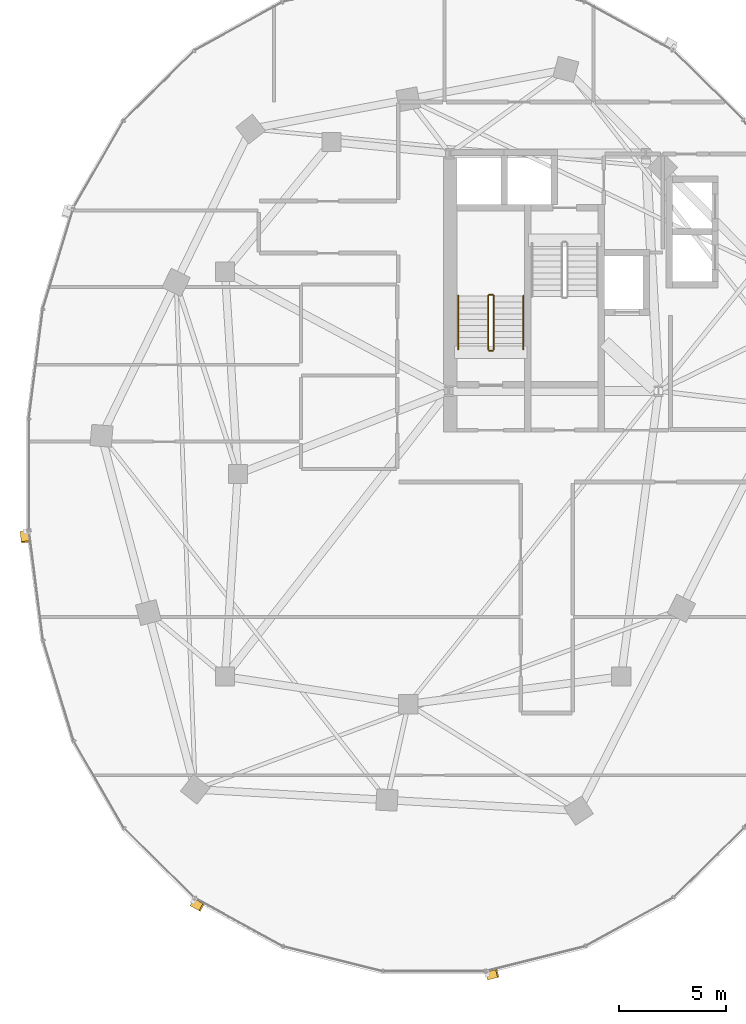
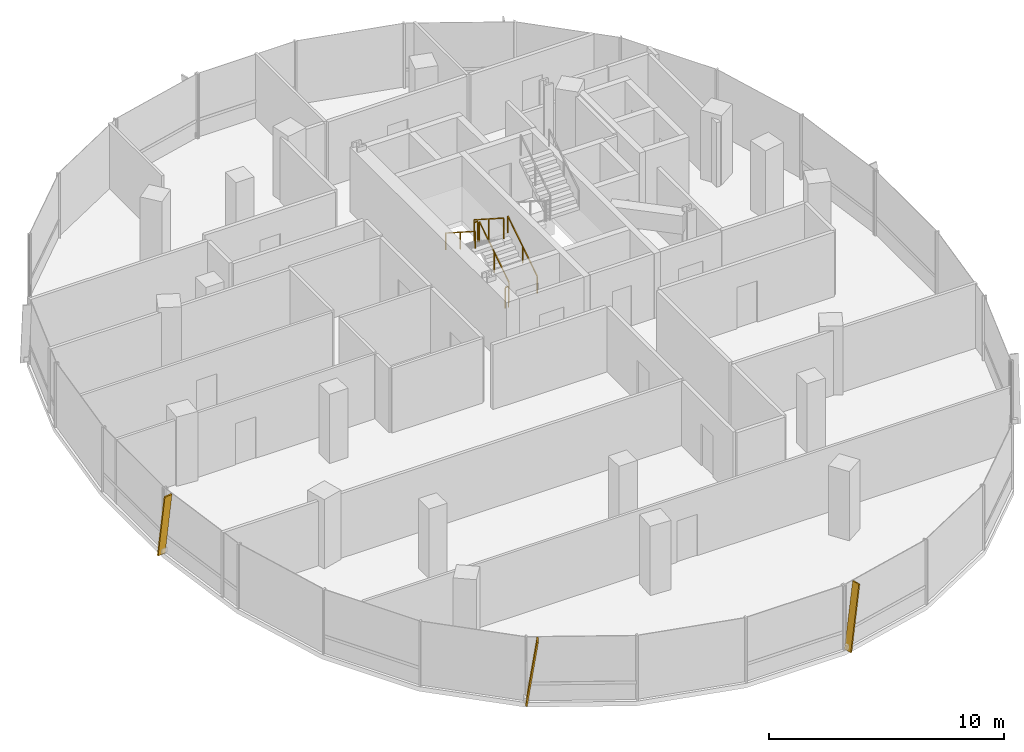
# One storey, part 19 of 23: 6 railings, 3 shading devices.
"""IFC4 building model written with IfcOpenShell, lengths in metres."""

from ifc_helpers import new_model, si_unit, direction, frame, origin, origin_2d, place, context, subcontext, project, spatial, rectangle, extrude, material, material_profile, profile_set, type_object, element, save


model = new_model("IFC4")

# Units and contexts
model_context = context("Model", 3, precision=1e-05, world=origin(), true_north=direction((0.0, 1.0)))
body_context = subcontext(model_context, "Body", "Model", "MODEL_VIEW")
ifc_project = project(units=[si_unit("LENGTHUNIT", "METRE"), si_unit("AREAUNIT", "SQUARE_METRE"), si_unit("VOLUMEUNIT", "CUBIC_METRE"), si_unit("PLANEANGLEUNIT", "RADIAN"), si_unit("MASSUNIT", "GRAM", prefix="KILO"), si_unit("THERMODYNAMICTEMPERATUREUNIT", "KELVIN"), si_unit("POWERUNIT", "WATT")], contexts=[model_context])

# Site, building, storey
site_placement = place(None, origin())
site = spatial("IfcSite", under=ifc_project, at=site_placement, CompositionType="ELEMENT")
building_placement = place(site_placement, origin())
building = spatial("IfcBuilding", under=site, at=building_placement, Name="Cundina Bronze Exchange", CompositionType="ELEMENT")
storey_placement = place(building_placement, frame((0.0, 0.0, 176.39990234375)))
storey = spatial("IfcBuildingStorey", under=building, at=storey_placement, Name="L46", CompositionType="ELEMENT", Elevation=176.39990234375)

# Railings
ifc_material_1 = material(Name="Steel ASTM A36 Painted", Category="steel")
railing_type_1 = type_object("IfcRailingType", Name="RLG-HND-900", PredefinedType="HANDRAIL", material=ifc_material_1)
railing_1_placement = place(storey_placement, frame((-27.7900390625, 5.85009765625, 0.18017578125)))
element("IfcRailing", 1, at=railing_1_placement, inside=storey, type_object=railing_type_1, Name="L46 ST-W1 stair handrail 1", PredefinedType="HANDRAIL", context=body_context, shape_type="SweptSolid", body=[
    extrude(rectangle(XDim=0.048095703125, YDim=0.048095703125, at=origin_2d()), frame((0.0, 0.0, 0.8759765625), z_axis=(0.0, 0.841199657755, 0.540724639528), x_axis=(-1.0, 0.0, 0.0)), (0.0, 0.0, 1.0), 2.995849609375),
    extrude(rectangle(XDim=0.0419921875, YDim=0.0419921875, at=origin_2d()), origin(), (0.0, 0.0, 1.0), 0.851806640625),
    extrude(rectangle(XDim=0.0419921875, YDim=0.0419921875, at=origin_2d()), frame((0.0, 1.260009765625, 0.81005859375)), (0.0, 0.0, 1.0), 0.851806640625),
    extrude(rectangle(XDim=0.0419921875, YDim=0.0419921875, at=origin_2d()), frame((0.0, 2.52001953125, 1.619873046875)), (0.0, 0.0, 1.0), 0.851806640625),
])
railing_2_placement = place(storey_placement, frame((-30.85009765625, 8.3701171875, 1.97998046875)))
element("IfcRailing", 2, at=railing_2_placement, inside=storey, type_object=railing_type_1, Name="L46 ST-W1 stair handrail 2", PredefinedType="HANDRAIL", context=body_context, shape_type="SweptSolid", body=[
    extrude(rectangle(XDim=0.048095703125, YDim=0.048095703125, at=origin_2d()), frame((0.0, 0.0, 0.8759765625), z_axis=(0.0, -0.841162588446, 0.540782303519), x_axis=(1.0, 0.0, 0.0)), (0.0, 0.0, 1.0), 2.995849609375),
    extrude(rectangle(XDim=0.0419921875, YDim=0.0419921875, at=origin_2d()), origin(), (0.0, 0.0, 1.0), 0.851806640625),
    extrude(rectangle(XDim=0.0419921875, YDim=0.0419921875, at=origin_2d()), frame((0.0, -1.260009765625, 0.81005859375)), (0.0, 0.0, 1.0), 0.851806640625),
    extrude(rectangle(XDim=0.0419921875, YDim=0.0419921875, at=origin_2d()), frame((0.0, -2.52001953125, 1.6201171875)), (0.0, 0.0, 1.0), 0.851806640625),
])
railing_type_2 = type_object("IfcRailingType", Name="RLG-STG-1100", PredefinedType="GUARDRAIL", material=ifc_material_1)
railing_3_placement = place(storey_placement, frame((-29.18994140625, 5.85009765625, 0.18017578125)))
element("IfcRailing", 3, at=railing_3_placement, inside=storey, type_object=railing_type_2, Name="L46 ST-W1 stair guard 1", PredefinedType="GUARDRAIL", context=body_context, shape_type="SweptSolid", body=[
    extrude(rectangle(XDim=0.048095703125, YDim=0.048095703125, at=origin_2d()), frame((0.0, 0.0, 1.076171875), z_axis=(0.0, 0.841199657755, 0.540724639528), x_axis=(-1.0, 0.0, 0.0)), (0.0, 0.0, 1.0), 2.995849609375),
    extrude(rectangle(XDim=0.0419921875, YDim=0.0419921875, at=origin_2d()), origin(), (0.0, 0.0, 1.0), 1.052001953125),
    extrude(rectangle(XDim=0.0419921875, YDim=0.0419921875, at=origin_2d()), frame((0.0, 1.260009765625, 0.81005859375)), (0.0, 0.0, 1.0), 1.052001953125),
    extrude(rectangle(XDim=0.0419921875, YDim=0.0419921875, at=origin_2d()), frame((0.0, 2.52001953125, 1.619873046875)), (0.0, 0.0, 1.0), 1.052001953125),
])
railing_4_placement = place(storey_placement, frame((-29.239990234375, 8.419921875, 1.800048828125)))
element("IfcRailing", 4, at=railing_4_placement, inside=storey, type_object=railing_type_2, Name="L46 ST-W1 stair guard 2", PredefinedType="GUARDRAIL", context=body_context, shape_type="SweptSolid", body=[
    extrude(rectangle(XDim=0.048095703125, YDim=0.048095703125, at=origin_2d()), frame((0.0, 0.0, 1.076171875), z_axis=(-1.0, 0.0, 0.0), x_axis=(0.0, -1.0, 0.0)), (0.0, 0.0, 1.0), 0.159912109375),
    extrude(rectangle(XDim=0.0419921875, YDim=0.0419921875, at=origin_2d()), origin(), (0.0, 0.0, 1.0), 1.052001953125),
    extrude(rectangle(XDim=0.0419921875, YDim=0.0419921875, at=origin_2d()), frame((-0.159912109375, 0.0, 0.0)), (0.0, 0.0, 1.0), 1.052001953125),
])
railing_5_placement = place(storey_placement, frame((-29.449951171875, 8.3701171875, 1.97998046875)))
element("IfcRailing", 5, at=railing_5_placement, inside=storey, type_object=railing_type_2, Name="L46 ST-W1 stair guard 3", PredefinedType="GUARDRAIL", context=body_context, shape_type="SweptSolid", body=[
    extrude(rectangle(XDim=0.048095703125, YDim=0.048095703125, at=origin_2d()), frame((0.0, 0.0, 1.076171875), z_axis=(0.0, -0.841162588446, 0.540782303519), x_axis=(1.0, 0.0, 0.0)), (0.0, 0.0, 1.0), 2.995849609375),
    extrude(rectangle(XDim=0.0419921875, YDim=0.0419921875, at=origin_2d()), origin(), (0.0, 0.0, 1.0), 1.052001953125),
    extrude(rectangle(XDim=0.0419921875, YDim=0.0419921875, at=origin_2d()), frame((0.0, -1.260009765625, 0.81005859375)), (0.0, 0.0, 1.0), 1.052001953125),
    extrude(rectangle(XDim=0.0419921875, YDim=0.0419921875, at=origin_2d()), frame((0.0, -2.52001953125, 1.6201171875)), (0.0, 0.0, 1.0), 1.052001953125),
])
railing_6_placement = place(storey_placement, frame((-29.239990234375, 5.800048828125, 0.0)))
element("IfcRailing", 6, at=railing_6_placement, inside=storey, type_object=railing_type_2, Name="L46 ST-W1 stair guard 4", PredefinedType="GUARDRAIL", context=body_context, shape_type="SweptSolid", body=[
    extrude(rectangle(XDim=0.048095703125, YDim=0.048095703125, at=origin_2d()), frame((0.0, 0.0, 1.076171875), z_axis=(-1.0, 0.0, 0.0), x_axis=(0.0, -1.0, 0.0)), (0.0, 0.0, 1.0), 0.159912109375),
    extrude(rectangle(XDim=0.0419921875, YDim=0.0419921875, at=origin_2d()), origin(), (0.0, 0.0, 1.0), 1.052001953125),
    extrude(rectangle(XDim=0.0419921875, YDim=0.0419921875, at=origin_2d()), frame((-0.159912109375, 0.0, 0.0)), (0.0, 0.0, 1.0), 1.052001953125),
])

# Shading devices
ifc_material_2 = material(Name="Anodised Bronze Aluminium 6063-T6", Category="aluminium")
ifc_material_profile = material_profile(ifc_material_2, rectangle(XDim=0.070068359375, YDim=0.3798828125, at=origin_2d()), Name="FIN70X380", Category="aluminium")
ifc_profile_set = profile_set([ifc_material_profile], Name="Anodised Bronze Aluminium 6063-T6")
shading_device_type = type_object("IfcShadingDeviceType", Name="SHD-FIN-BRZ380", PredefinedType="USERDEFINED", material=ifc_profile_set)
for number, where, z_axis, x_axis, name in (
    (7, (-51.23486328125, -2.705810546875, 0.02001953125), (0.018121805099, -0.141917750773, 0.989712560391), (-0.125360789044, 0.981741119016, 0.143070080046), "L46 Diagonal Bronze Solar Fin 1"),
    (8, (-43.320068359375, -20.11181640625, 0.02001953125), (0.125324460949, -0.068993954111, 0.989713905017), (-0.867011652888, 0.477309551067, 0.143060778049), "L46 Diagonal Bronze Solar Fin 5"),
    (9, (-29.48046875, -23.556396484375, 0.02001953125), (0.138788401144, 0.034715294885, 0.989713407007), (-0.960133415413, -0.240159223467, 0.14306422331), "L46 Diagonal Bronze Solar Fin 1"),
):
    element("IfcShadingDevice", number, at=place(storey_placement, frame(where, z_axis=z_axis, x_axis=x_axis)), inside=storey, type_object=shading_device_type, Name=name, ObjectType="FIN", PredefinedType="USERDEFINED", context=body_context, shape_type="SweptSolid", body=[
        extrude(rectangle(XDim=0.070068359375, YDim=0.3798828125, at=origin_2d()), origin(), (0.0, 0.0, 1.0), 3.3544921875),
    ])

save(model, "model.ifc")
